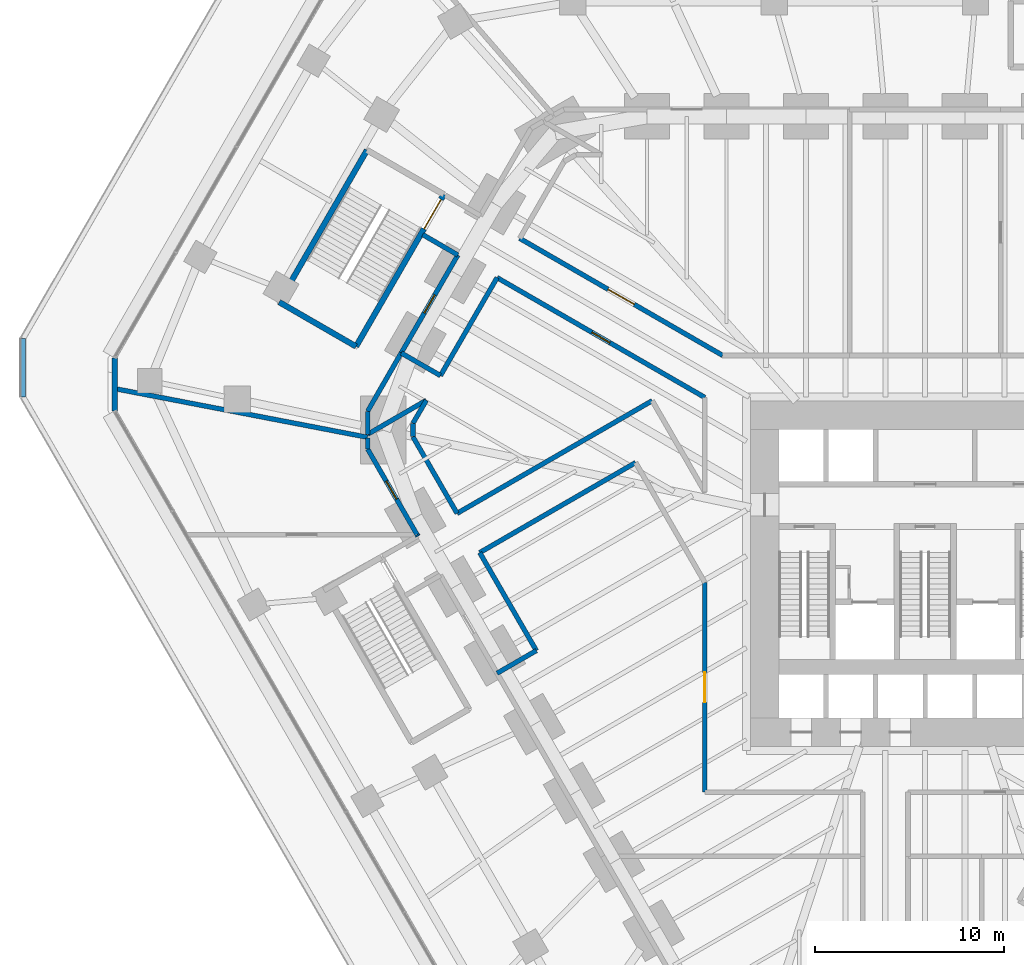
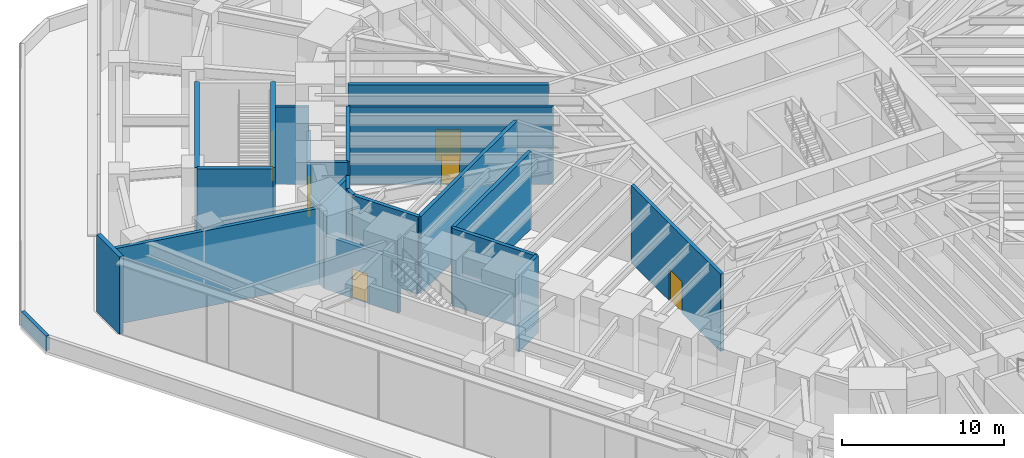
# One storey, part 16 of 25: 26 walls, 6 doors, 6 openings.
"""IFC4 building model written with IfcOpenShell, lengths in metres."""

from ifc_helpers import new_model, si_unit, direction, frame, frame_2d, origin, place, context, subcontext, project, spatial, rectangle, extrude, material, layer, layer_set, type_object, element, fill, save


model = new_model("IFC4")

# Units and contexts
model_context = context("Model", 3, precision=1e-05, world=origin(), true_north=direction((0.0, 1.0)))
body_context = subcontext(model_context, "Body", "Model", "MODEL_VIEW")
ifc_project = project(units=[si_unit("LENGTHUNIT", "METRE"), si_unit("AREAUNIT", "SQUARE_METRE"), si_unit("VOLUMEUNIT", "CUBIC_METRE"), si_unit("PLANEANGLEUNIT", "RADIAN"), si_unit("MASSUNIT", "GRAM", prefix="KILO")], contexts=[model_context])

# Site, building, storey
site_placement = place(None, origin())
site = spatial("IfcSite", under=ifc_project, at=site_placement, CompositionType="ELEMENT")
building_placement = place(site_placement, origin())
building = spatial("IfcBuilding", under=site, at=building_placement, Name="Sandreach Pilgrim Tower", CompositionType="ELEMENT")
storey_placement = place(building_placement, frame((0.0, 0.0, 6.0)))
storey = spatial("IfcBuildingStorey", under=building, at=storey_placement, Name="L01", CompositionType="ELEMENT", Elevation=6.0)

# Wall, opening, door
ifc_material_1 = material(Name="Acoustic gypsum board wall, double frame", Category="gypsum")
ifc_layer_1 = layer(ifc_material_1, 0.25)
ifc_layer_set_1 = layer_set([ifc_layer_1], Name="Hall partition 250")
wall_type_1 = type_object("IfcWallType", Name="Hall partition 250", PredefinedType="PARTITIONING", material=ifc_layer_set_1)
wall_1_placement = place(storey_placement, frame((-29.5400390625, 5.06005859375, 0.0), z_axis=(0.0, 0.0, 1.0), x_axis=(0.499846097802, -0.866114241029, 0.0)))
wall_1 = element("IfcWall", 1, at=wall_1_placement, inside=storey, type_object=wall_type_1, Name="Hall partition L01-002", PredefinedType="PARTITIONING", context=body_context, shape_type="SweptSolid", body=[
    extrude(rectangle(XDim=5.241943359375, YDim=0.25, at=frame_2d((2.62109375, 0.0))), origin(), (0.0, 0.0, 1.0), 4.0400390625),
])
opening_1_placement = place(wall_1_placement, frame((1.970947265625, 0.0, 0.0)))
opening_1 = element("IfcOpeningElement", 2, at=opening_1_placement, cuts=wall_1, Name="Opening D11H-N3", PredefinedType="OPENING", context=body_context, shape_type="SweptSolid", body=[
    extrude(rectangle(XDim=1.10009765625, YDim=2.199951171875, at=frame_2d((0.550048828125, 1.10009765625))), frame((0.0, 0.125, 0.0), z_axis=(0.0, -1.0, 0.0), x_axis=(1.0, 0.0, 0.0)), (0.0, 0.0, 1.0), 0.25),
])
ifc_material_2 = material(Name="Steel door and frame", Category="steel")
door_type_1 = type_object("IfcDoorType", Name="Back of house door", OperationType="SINGLE_SWING_LEFT", PredefinedType="DOOR", material=ifc_material_2)
door_1_placement = place(opening_1_placement, origin())
door_1 = element("IfcDoor", 3, at=door_1_placement, inside=storey, type_object=door_type_1, Name="Door 01N3", OperationType="SINGLE_SWING_LEFT", OverallHeight=2.199951171875, OverallWidth=1.10009765625, PredefinedType="DOOR", context=body_context, shape_type="SweptSolid", body=[
    extrude(rectangle(XDim=1.10009765625, YDim=2.199951171875, at=frame_2d((0.550048828125, 1.10009765625))), frame((0.0, 0.02490234375, 0.0), z_axis=(0.0, -1.0, 0.0), x_axis=(1.0, 0.0, 0.0)), (0.0, 0.0, 1.0), 0.050048828125),
])
fill(opening_1, door_1)

# Walls
wall_2_placement = place(storey_placement, frame((-29.5400390625, 5.64501953125, 0.0), z_axis=(0.0, 0.0, 1.0), x_axis=(0.0, -1.0, 0.0)))
element("IfcWall", 4, at=wall_2_placement, inside=storey, type_object=wall_type_1, Name="Hall partition L01-003", PredefinedType="PARTITIONING", context=body_context, shape_type="SweptSolid", body=[
    extrude(rectangle(XDim=0.5849609375, YDim=0.25, at=frame_2d((0.29248046875, 0.0))), origin(), (0.0, 0.0, 1.0), 5.840087890625),
])
wall_3_placement = place(storey_placement, frame((-29.5400390625, 5.679931640625, 0.0), z_axis=(0.0, 0.0, 1.0), x_axis=(-0.981957231685, 0.189103133611, 0.0)))
element("IfcWall", 5, at=wall_3_placement, inside=storey, type_object=wall_type_1, Name="Hall partition L01-004", PredefinedType="PARTITIONING", context=body_context, shape_type="SweptSolid", body=[
    extrude(rectangle(XDim=13.6669921875, YDim=0.25, at=frame_2d((6.83349609375, 0.0))), origin(), (0.0, 0.0, 1.0), 5.75),
])
wall_4_placement = place(storey_placement, frame((-29.5400390625, 7.06005859375, 0.0), z_axis=(0.0, 0.0, 1.0), x_axis=(0.0, -1.0, 0.0)))
element("IfcWall", 6, at=wall_4_placement, inside=storey, type_object=wall_type_1, Name="Hall partition L01-005", PredefinedType="PARTITIONING", context=body_context, shape_type="SweptSolid", body=[
    extrude(rectangle(XDim=1.219970703125, YDim=0.25, at=frame_2d((0.60986328125, 0.0))), origin(), (0.0, 0.0, 1.0), 5.840087890625),
])
wall_5_placement = place(storey_placement, frame((-27.760009765625, 10.14990234375, 0.0), z_axis=(0.0, 0.0, 1.0), x_axis=(-0.499181015942, -0.8664977284, 0.0)))
element("IfcWall", 7, at=wall_5_placement, inside=storey, type_object=wall_type_1, Name="Hall partition L01-006", PredefinedType="PARTITIONING", context=body_context, shape_type="SweptSolid", body=[
    extrude(rectangle(XDim=3.56591796875, YDim=0.25, at=frame_2d((1.782958984375, 0.0))), origin(), (0.0, 0.0, 1.0), 5.840087890625),
])
wall_6_placement = place(storey_placement, frame((-27.760009765625, 10.14990234375, 0.0), z_axis=(0.0, 0.0, 1.0), x_axis=(0.866202511239, -0.499693115345, 0.0)))
element("IfcWall", 8, at=wall_6_placement, inside=storey, type_object=wall_type_1, Name="Hall partition L01-007", PredefinedType="PARTITIONING", context=body_context, shape_type="SweptSolid", body=[
    extrude(rectangle(XDim=2.4013671875, YDim=0.25, at=frame_2d((1.20068359375, 0.0))), origin(), (0.0, 0.0, 1.0), 5.840087890625),
])
wall_7_placement = place(storey_placement, frame((-27.139892578125, 5.7099609375, 0.0), z_axis=(0.0, 0.0, 1.0), x_axis=(0.0, 1.0, 0.0)))
element("IfcWall", 9, at=wall_7_placement, inside=storey, type_object=wall_type_1, Name="Hall partition L01-009", PredefinedType="PARTITIONING", context=body_context, shape_type="SweptSolid", body=[
    extrude(rectangle(XDim=0.7099609375, YDim=0.25, at=frame_2d((0.35498046875, 0.0))), origin(), (0.0, 0.0, 1.0), 5.840087890625),
])
wall_8_placement = place(storey_placement, frame((-27.139892578125, 6.419921875, 0.0), z_axis=(0.0, 0.0, 1.0), x_axis=(0.502902974743, 0.864342870622, 0.0)))
element("IfcWall", 10, at=wall_8_placement, inside=storey, type_object=wall_type_1, Name="Hall partition L01-010", PredefinedType="PARTITIONING", context=body_context, shape_type="SweptSolid", body=[
    extrude(rectangle(XDim=1.41162109375, YDim=0.25, at=frame_2d((0.705810546875, 0.0))), origin(), (0.0, 0.0, 1.0), 5.840087890625),
])
wall_9_placement = place(storey_placement, frame((-26.919921875, 0.52001953125, 0.0), z_axis=(0.0, 0.0, 1.0), x_axis=(0.496138938357, -0.868243142124, 0.0)))
element("IfcWall", 11, at=wall_9_placement, inside=storey, type_object=wall_type_1, Name="Hall partition L01-011", PredefinedType="PARTITIONING", context=body_context, shape_type="SweptSolid", body=[
    extrude(rectangle(XDim=0.080810546875, YDim=0.25, at=frame_2d((0.04052734375, 0.0))), origin(), (0.0, 0.0, 1.0), 5.840087890625),
])
wall_10_placement = place(storey_placement, frame((-26.6201171875, 16.419921875, 0.0), z_axis=(0.0, 0.0, 1.0), x_axis=(0.864835053767, -0.50205610222, 0.0)))
element("IfcWall", 12, at=wall_10_placement, inside=storey, type_object=wall_type_1, Name="Hall partition L01-013", PredefinedType="PARTITIONING", context=body_context, shape_type="SweptSolid", body=[
    extrude(rectangle(XDim=2.15087890625, YDim=0.25, at=frame_2d((1.075439453125, 0.0))), origin(), (0.0, 0.0, 1.0), 5.840087890625),
])
wall_11_placement = place(storey_placement, frame((-26.429931640625, 7.639892578125, 0.0), z_axis=(0.0, 0.0, 1.0), x_axis=(-0.865520854062, -0.500872889249, 0.0)))
element("IfcWall", 13, at=wall_11_placement, inside=storey, type_object=wall_type_1, Name="Hall partition L01-014", PredefinedType="PARTITIONING", context=body_context, shape_type="SweptSolid", body=[
    extrude(rectangle(XDim=3.59326171875, YDim=0.25, at=frame_2d((1.796630859375, 0.0))), origin(), (0.0, 0.0, 1.0), 5.840087890625),
])
wall_12_placement = place(storey_placement, frame((-25.679931640625, 8.949951171875, 0.0), z_axis=(0.0, 0.0, 1.0), x_axis=(0.50043093139, 0.865776462436, 0.0)))
element("IfcWall", 14, at=wall_12_placement, inside=storey, type_object=wall_type_1, Name="Hall partition L01-016", PredefinedType="PARTITIONING", context=body_context, shape_type="SweptSolid", body=[
    extrude(rectangle(XDim=5.994873046875, YDim=0.25, at=frame_2d((2.99755859375, 0.0))), origin(), (0.0, 0.0, 1.0), 5.840087890625),
])
wall_13_placement = place(storey_placement, frame((-24.800048828125, 1.64990234375, 0.0), z_axis=(0.0, 0.0, 1.0), x_axis=(-0.499361596599, 0.866393672555, 0.0)))
element("IfcWall", 15, at=wall_13_placement, inside=storey, type_object=wall_type_1, Name="Hall partition L01-017", PredefinedType="PARTITIONING", context=body_context, shape_type="SweptSolid", body=[
    extrude(rectangle(XDim=4.686279296875, YDim=0.25, at=frame_2d((2.34326171875, 0.0))), origin(), (0.0, 0.0, 1.0), 5.840087890625),
])

# Wall, opening, door
wall_14_placement = place(storey_placement, frame((-24.760009765625, 15.340087890625, 0.0), z_axis=(0.0, 0.0, 1.0), x_axis=(-0.50043093139, -0.865776462436, 0.0)))
wall_14 = element("IfcWall", 16, at=wall_14_placement, inside=storey, type_object=wall_type_1, Name="Hall partition L01-018", PredefinedType="PARTITIONING", context=body_context, shape_type="SweptSolid", body=[
    extrude(rectangle(XDim=5.994873046875, YDim=0.25, at=frame_2d((2.99755859375, 0.0))), origin(), (0.0, 0.0, 1.0), 4.0400390625),
])
opening_2_placement = place(wall_14_placement, frame((2.447509765625, 0.0, 0.0)))
opening_2 = element("IfcOpeningElement", 17, at=opening_2_placement, cuts=wall_14, Name="Opening D11H-06", PredefinedType="OPENING", context=body_context, shape_type="SweptSolid", body=[
    extrude(rectangle(XDim=1.10009765625, YDim=2.199951171875, at=frame_2d((0.550048828125, 1.10009765625))), frame((0.0, 0.125, 0.0), z_axis=(0.0, -1.0, 0.0), x_axis=(1.0, 0.0, 0.0)), (0.0, 0.0, 1.0), 0.25),
])
door_2_placement = place(opening_2_placement, origin())
door_2 = element("IfcDoor", 18, at=door_2_placement, inside=storey, type_object=door_type_1, Name="Door 0106", OperationType="SINGLE_SWING_LEFT", OverallHeight=2.199951171875, OverallWidth=1.10009765625, PredefinedType="DOOR", context=body_context, shape_type="SweptSolid", body=[
    extrude(rectangle(XDim=1.10009765625, YDim=2.199951171875, at=frame_2d((0.550048828125, 1.10009765625))), frame((0.0, 0.02490234375, 0.0), z_axis=(0.0, -1.0, 0.0), x_axis=(1.0, 0.0, 0.0)), (0.0, 0.0, 1.0), 0.050048828125),
])
fill(opening_2, door_2)

# Walls
wall_15_placement = place(storey_placement, frame((-23.60009765625, -0.429931640625, 0.0), z_axis=(0.0, 0.0, 1.0), x_axis=(0.865975432538, 0.500086542752, 0.0)))
element("IfcWall", 19, at=wall_15_placement, inside=storey, type_object=wall_type_1, Name="Hall partition L01-019", PredefinedType="PARTITIONING", context=body_context, shape_type="SweptSolid", body=[
    extrude(rectangle(XDim=9.538330078125, YDim=0.25, at=frame_2d((4.76904296875, 0.0))), origin(), (0.0, 0.0, 1.0), 5.840087890625),
])
wall_16_placement = place(storey_placement, frame((-22.679931640625, -6.820068359375, 0.0), z_axis=(0.0, 0.0, 1.0), x_axis=(0.866177122335, 0.499737123639, 0.0)))
element("IfcWall", 20, at=wall_16_placement, inside=storey, type_object=wall_type_1, Name="Hall partition L01-022", PredefinedType="PARTITIONING", context=body_context, shape_type="SweptSolid", body=[
    extrude(rectangle(XDim=2.401123046875, YDim=0.25, at=frame_2d((1.20068359375, 0.0))), origin(), (0.0, 0.0, 1.0), 5.840087890625),
])

# Wall, opening, door
wall_17_placement = place(storey_placement, frame((-22.679931640625, 14.139892578125, 0.0), z_axis=(0.0, 0.0, 1.0), x_axis=(0.866256251028, -0.499599947513, 0.0)))
wall_17 = element("IfcWall", 21, at=wall_17_placement, inside=storey, type_object=wall_type_1, Name="Hall partition L01-023", PredefinedType="PARTITIONING", context=body_context, shape_type="SweptSolid", body=[
    extrude(rectangle(XDim=12.7099609375, YDim=0.25, at=frame_2d((6.35498046875, 0.0))), origin(), (0.0, 0.0, 1.0), 5.840087890625),
])
opening_3_placement = place(wall_17_placement, frame((5.804931640625, 0.0, 0.0)))
opening_3 = element("IfcOpeningElement", 22, at=opening_3_placement, cuts=wall_17, Name="Opening D11H-B3", PredefinedType="OPENING", context=body_context, shape_type="SweptSolid", body=[
    extrude(rectangle(XDim=1.10009765625, YDim=2.199951171875, at=frame_2d((0.550048828125, 1.10009765625))), frame((0.0, 0.125, 0.0), z_axis=(0.0, -1.0, 0.0), x_axis=(1.0, 0.0, 0.0)), (0.0, 0.0, 1.0), 0.25),
])
door_3_placement = place(opening_3_placement, origin())
door_3 = element("IfcDoor", 23, at=door_3_placement, inside=storey, type_object=door_type_1, Name="Door 01B3", OperationType="SINGLE_SWING_LEFT", OverallHeight=2.199951171875, OverallWidth=1.10009765625, PredefinedType="DOOR", context=body_context, shape_type="SweptSolid", body=[
    extrude(rectangle(XDim=1.10009765625, YDim=2.199951171875, at=frame_2d((0.550048828125, 1.10009765625))), frame((0.0, 0.02490234375, 0.0), z_axis=(0.0, -1.0, 0.0), x_axis=(1.0, 0.0, 0.0)), (0.0, 0.0, 1.0), 0.050048828125),
])
fill(opening_3, door_3)

# Walls
wall_18_placement = place(storey_placement, frame((-20.60009765625, -5.6201171875, 0.0), z_axis=(0.0, 0.0, 1.0), x_axis=(-0.50043093139, 0.865776462436, 0.0)))
element("IfcWall", 24, at=wall_18_placement, inside=storey, type_object=wall_type_1, Name="Hall partition L01-027", PredefinedType="PARTITIONING", context=body_context, shape_type="SweptSolid", body=[
    extrude(rectangle(XDim=5.994873046875, YDim=0.25, at=frame_2d((2.99755859375, 0.0))), origin(), (0.0, 0.0, 1.0), 5.840087890625),
])
wall_19_placement = place(storey_placement, frame((-14.4599609375, 7.6201171875, 0.0), z_axis=(0.0, 0.0, 1.0), x_axis=(-0.866012263686, -0.500022758628, 0.0)))
element("IfcWall", 25, at=wall_19_placement, inside=storey, type_object=wall_type_1, Name="Hall partition L01-036", PredefinedType="PARTITIONING", context=body_context, shape_type="SweptSolid", body=[
    extrude(rectangle(XDim=11.93994140625, YDim=0.25, at=frame_2d((5.969970703125, 0.0))), origin(), (0.0, 0.0, 1.0), 5.840087890625),
])

# Wall, opening, door
wall_20_placement = place(storey_placement, frame((-11.669921875, -2.02001953125, 0.0), z_axis=(0.0, 0.0, 1.0), x_axis=(0.0, -1.0, 0.0)))
wall_20 = element("IfcWall", 26, at=wall_20_placement, inside=storey, type_object=wall_type_1, Name="Hall partition L01-042", PredefinedType="PARTITIONING", context=body_context, shape_type="SweptSolid", body=[
    extrude(rectangle(XDim=11.10009765625, YDim=0.25, at=frame_2d((5.550048828125, 0.0))), origin(), (0.0, 0.0, 1.0), 5.840087890625),
])
opening_4_placement = place(wall_20_placement, frame((4.75, 0.0, 0.0)))
opening_4 = element("IfcOpeningElement", 27, at=opening_4_placement, cuts=wall_20, Name="Opening D16-B4", PredefinedType="OPENING", context=body_context, shape_type="SweptSolid", body=[
    extrude(rectangle(XDim=1.60009765625, YDim=2.39990234375, at=frame_2d((0.800048828125, 1.199951171875))), frame((0.0, 0.125, 0.0), z_axis=(0.0, -1.0, 0.0), x_axis=(1.0, 0.0, 0.0)), (0.0, 0.0, 1.0), 0.25),
])
ifc_material_3 = material(Name="Steel door and frame", Category="steel")
door_type_2 = type_object("IfcDoorType", Name="Hall double door", OperationType="DOUBLE_DOOR_SINGLE_SWING", PredefinedType="DOOR", material=ifc_material_3)
door_4_placement = place(opening_4_placement, origin())
door_4 = element("IfcDoor", 28, at=door_4_placement, inside=storey, type_object=door_type_2, Name="Door 01B4", OperationType="DOUBLE_DOOR_SINGLE_SWING", OverallHeight=2.39990234375, OverallWidth=1.60009765625, PredefinedType="DOOR", context=body_context, shape_type="SweptSolid", body=[
    extrude(rectangle(XDim=1.60009765625, YDim=2.39990234375, at=frame_2d((0.800048828125, 1.199951171875))), frame((0.0, 0.02490234375, 0.0), z_axis=(0.0, -1.0, 0.0), x_axis=(1.0, 0.0, 0.0)), (0.0, 0.0, 1.0), 0.050048828125),
])
fill(opening_4, door_4)

wall_21_placement = place(storey_placement, frame((-10.72998046875, 10.02001953125, 0.0), z_axis=(0.0, 0.0, 1.0), x_axis=(-0.866254357941, 0.499603229922, 0.0)))
wall_21 = element("IfcWall", 29, at=wall_21_placement, inside=storey, type_object=wall_type_1, Name="Hall partition L01-045", PredefinedType="PARTITIONING", context=body_context, shape_type="SweptSolid", body=[
    extrude(rectangle(XDim=12.40966796875, YDim=0.25, at=frame_2d((6.204833984375, 0.0))), origin(), (0.0, 0.0, 1.0), 5.840087890625),
])
opening_5_placement = place(wall_21_placement, frame((5.40478515625, 0.0, 0.0)))
opening_5 = element("IfcOpeningElement", 30, at=opening_5_placement, cuts=wall_21, Name="Opening D16-B2C", PredefinedType="OPENING", context=body_context, shape_type="SweptSolid", body=[
    extrude(rectangle(XDim=1.60009765625, YDim=2.39990234375, at=frame_2d((0.800048828125, 1.199951171875))), frame((0.0, 0.125, 0.0), z_axis=(0.0, -1.0, 0.0), x_axis=(1.0, 0.0, 0.0)), (0.0, 0.0, 1.0), 0.25),
])
door_5_placement = place(opening_5_placement, origin())
door_5 = element("IfcDoor", 31, at=door_5_placement, inside=storey, type_object=door_type_2, Name="Door 01B2", OperationType="DOUBLE_DOOR_SINGLE_SWING", OverallHeight=2.39990234375, OverallWidth=1.60009765625, PredefinedType="DOOR", context=body_context, shape_type="SweptSolid", body=[
    extrude(rectangle(XDim=1.60009765625, YDim=2.39990234375, at=frame_2d((0.800048828125, 1.199951171875))), frame((0.0, 0.02490234375, 0.0), z_axis=(0.0, -1.0, 0.0), x_axis=(1.0, 0.0, 0.0)), (0.0, 0.0, 1.0), 0.050048828125),
])
fill(opening_5, door_5)

ifc_material_4 = material(Name="Concrete 8000 psi", Category="concrete")
ifc_layer_2 = layer(ifc_material_4, 0.300048828125)
ifc_layer_set_2 = layer_set([ifc_layer_2], Name="Podium stair enclosure 300")
wall_type_2 = type_object("IfcWallType", Name="Podium stair enclosure 300", PredefinedType="SHEAR", material=ifc_layer_set_2)
wall_22_placement = place(storey_placement, frame((-25.503662109375, 18.548095703125, 0.0), z_axis=(0.0, 0.0, 1.0), x_axis=(-0.500004225487, -0.866022964185, 0.0)))
wall_22 = element("IfcWall", 32, at=wall_22_placement, inside=storey, type_object=wall_type_2, Name="Stair ST6 enclosure L01 1", PredefinedType="SHEAR", context=body_context, shape_type="SweptSolid", body=[
    extrude(rectangle(XDim=9.30029296875, YDim=0.300048828125, at=frame_2d((4.650146484375, 0.0))), origin(), (0.0, 0.0, 1.0), 6.0),
])
opening_6_placement = place(wall_22_placement, frame((0.300048828125, 0.0, 0.0)))
opening_6 = element("IfcOpeningElement", 33, at=opening_6_placement, cuts=wall_22, Name="Opening D18S-ST6", PredefinedType="OPENING", context=body_context, shape_type="SweptSolid", body=[
    extrude(rectangle(XDim=1.800048828125, YDim=2.39990234375, at=frame_2d((0.89990234375, 1.199951171875))), frame((0.0, 0.14990234375, 0.0), z_axis=(0.0, -1.0, 0.0), x_axis=(1.0, 0.0, 0.0)), (0.0, 0.0, 1.0), 0.300048828125),
])
ifc_material_5 = material(Name="Steel door and frame", Category="steel")
door_type_3 = type_object("IfcDoorType", Name="Podium stair door", OperationType="DOUBLE_DOOR_SINGLE_SWING", PredefinedType="DOOR", material=ifc_material_5)
door_6_placement = place(opening_6_placement, origin())
door_6 = element("IfcDoor", 34, at=door_6_placement, inside=storey, type_object=door_type_3, Name="Stair door ST6 L01", OperationType="DOUBLE_DOOR_SINGLE_SWING", OverallHeight=2.39990234375, OverallWidth=1.800048828125, PredefinedType="DOOR", context=body_context, shape_type="SweptSolid", body=[
    extrude(rectangle(XDim=1.800048828125, YDim=2.39990234375, at=frame_2d((0.89990234375, 1.199951171875))), frame((0.0, 0.02490234375, 0.0), z_axis=(0.0, -1.0, 0.0), x_axis=(1.0, 0.0, 0.0)), (0.0, 0.0, 1.0), 0.050048828125),
])
fill(opening_6, door_6)

# Walls
wall_23_placement = place(storey_placement, frame((-30.15380859375, 10.493896484375, 0.0), z_axis=(0.0, 0.0, 1.0), x_axis=(-0.866016039709, 0.500016218704, 0.0)))
element("IfcWall", 35, at=wall_23_placement, inside=storey, type_object=wall_type_2, Name="Stair ST6 enclosure L01 2", PredefinedType="SHEAR", context=body_context, shape_type="SweptSolid", body=[
    extrude(rectangle(XDim=4.699951171875, YDim=0.300048828125, at=frame_2d((2.35009765625, 0.0))), origin(), (0.0, 0.0, 1.0), 6.0),
])
wall_24_placement = place(storey_placement, frame((-34.22412109375, 12.843994140625, 0.0), z_axis=(0.0, 0.0, 1.0), x_axis=(0.500015592816, 0.866016401081, 0.0)))
element("IfcWall", 36, at=wall_24_placement, inside=storey, type_object=wall_type_2, Name="Stair ST6 enclosure L01 3", PredefinedType="SHEAR", context=body_context, shape_type="SweptSolid", body=[
    extrude(rectangle(XDim=9.300048828125, YDim=0.300048828125, at=frame_2d((4.64990234375, 0.0))), origin(), (0.0, 0.0, 1.0), 6.0),
])
ifc_material_6 = material(Name="Concrete parapet with terracotta coping", Category="masonry")
ifc_layer_3 = layer(ifc_material_6, 0.25)
ifc_layer_set_3 = layer_set([ifc_layer_3], Name="Setback parapet")
wall_type_3 = type_object("IfcWallType", Name="Setback parapet", PredefinedType="PARAPET", material=ifc_layer_set_3)
wall_25_placement = place(storey_placement, frame((-47.783935546875, 10.9130859375, 0.0), z_axis=(0.0, 0.0, 1.0), x_axis=(0.000631861496, -0.999999800376, 0.0)))
element("IfcWall", 37, at=wall_25_placement, inside=storey, type_object=wall_type_3, Name="Setback parapet L01 3", PredefinedType="PARAPET", context=body_context, shape_type="SweptSolid", body=[
    extrude(rectangle(XDim=3.091064453125, YDim=0.25, at=frame_2d((1.54541015625, 0.0))), origin(), (0.0, 0.0, 1.0), 1.10009765625),
])
ifc_material_7 = material(Name="Terracotta rainscreen on concrete", Category="masonry")
ifc_layer_4 = layer(ifc_material_7, 0.300048828125)
ifc_layer_set_4 = layer_set([ifc_layer_4], Name="Terracotta chamfer pier")
wall_type_4 = type_object("IfcWallType", Name="Terracotta chamfer pier", PredefinedType="SOLIDWALL", material=ifc_layer_set_4)
wall_26_placement = place(storey_placement, frame((-42.9453125, 7.087158203125, 0.0), z_axis=(0.0, 0.0, 1.0), x_axis=(0.0, 1.0, 0.0)))
element("IfcWall", 38, at=wall_26_placement, inside=storey, type_object=wall_type_4, Name="Chamfer pier L01 SW", PredefinedType="SOLIDWALL", context=body_context, shape_type="SweptSolid", body=[
    extrude(rectangle(XDim=2.7998046875, YDim=0.300048828125, at=frame_2d((1.39990234375, 0.0))), origin(), (0.0, 0.0, 1.0), 5.840087890625),
])

save(model, "model.ifc")
